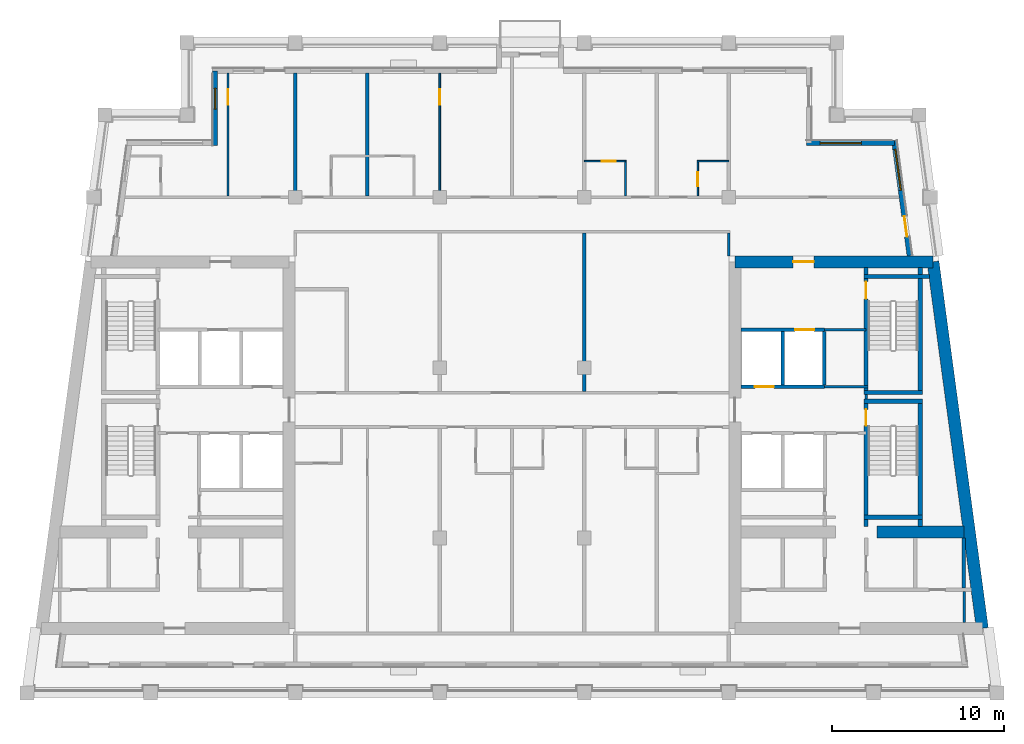
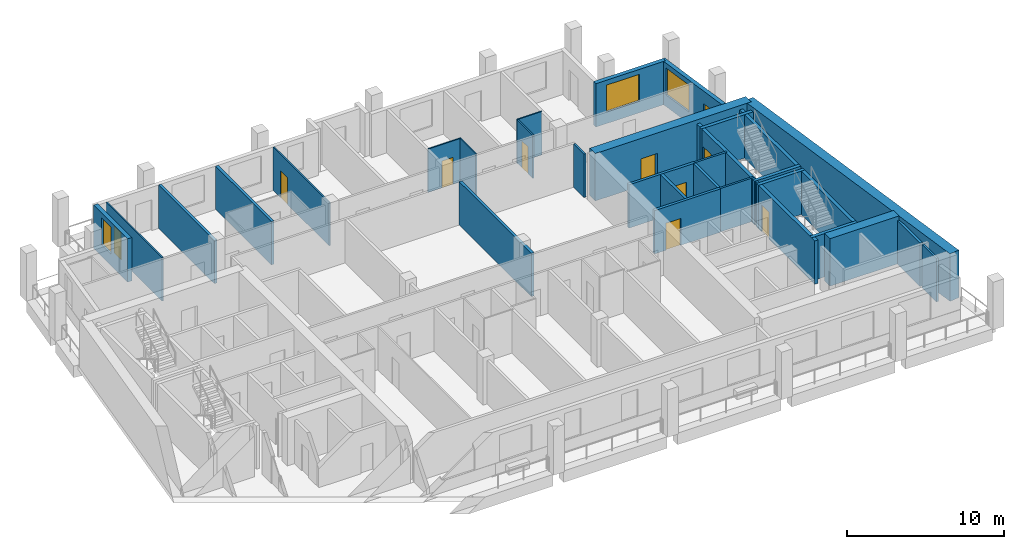
# One storey, part 6 of 13: 33 walls, 10 doors, 3 windows, 13 openings.
"""IFC4 building model written with IfcOpenShell, lengths in metres."""

from ifc_helpers import new_model, si_unit, direction, frame, frame_2d, origin, place, context, subcontext, project, spatial, rectangle, extrude, material, layer, layer_set, type_object, element, fill, save


model = new_model("IFC4")

# Units and contexts
model_context = context("Model", 3, precision=1e-05, world=origin(), true_north=direction((0.0, 1.0)))
body_context = subcontext(model_context, "Body", "Model", "MODEL_VIEW")
ifc_project = project(units=[si_unit("LENGTHUNIT", "METRE"), si_unit("AREAUNIT", "SQUARE_METRE"), si_unit("VOLUMEUNIT", "CUBIC_METRE"), si_unit("PLANEANGLEUNIT", "RADIAN"), si_unit("MASSUNIT", "GRAM", prefix="KILO")], contexts=[model_context])

# Site, building, storey
site_placement = place(None, origin())
site = spatial("IfcSite", under=ifc_project, at=site_placement, CompositionType="ELEMENT")
building_placement = place(site_placement, origin())
building = spatial("IfcBuilding", under=site, at=building_placement, Name="Candeia Pilgrim Tower and Theatre", CompositionType="ELEMENT")
storey_placement = place(building_placement, frame((0.0, 0.0, 277.5)))
storey = spatial("IfcBuildingStorey", under=building, at=storey_placement, Name="L67", CompositionType="ELEMENT", Elevation=277.5)

# Wall, opening, door
ifc_material_1 = material(Name="Concrete C40/50", Category="concrete")
ifc_layer_1 = layer(ifc_material_1, 0.699951171875)
ifc_layer_set_1 = layer_set([ifc_layer_1], Name="Core wall 700 C40/50")
wall_type_1 = type_object("IfcWallType", Name="Core wall 700 C40/50", PredefinedType="SHEAR", material=ifc_layer_set_1)
wall_1_placement = place(storey_placement, frame((126.35009765625, 132.050048828125, 0.0), z_axis=(0.0, 0.0, 1.0), x_axis=(1.0, 0.0, 0.0)))
wall_1 = element("IfcWall", 1, at=wall_1_placement, inside=storey, type_object=wall_type_1, Name="Core wall E1", PredefinedType="SHEAR", context=body_context, shape_type="SweptSolid", body=[
    extrude(rectangle(XDim=11.51318359375, YDim=0.699951171875, at=frame_2d((5.756591796875, 0.0))), origin(), (0.0, 0.0, 1.0), 3.699951171875),
])
opening_1_placement = place(wall_1_placement, frame((3.386474609375, 0.0, 0.0)))
opening_1 = element("IfcOpeningElement", 2, at=opening_1_placement, cuts=wall_1, Name="Opening L67-D050", PredefinedType="OPENING", context=body_context, shape_type="SweptSolid", body=[
    extrude(rectangle(XDim=1.199951171875, YDim=2.10009765625, at=frame_2d((0.60009765625, 1.050048828125))), frame((0.0, 0.35986328125, 0.0), z_axis=(0.0, -1.0, 0.0), x_axis=(1.0, 0.0, 0.0)), (0.0, 0.0, 1.0), 0.719970703125),
])
ifc_material_2 = material(Name="Steel fire door set", Category="steel")
door_type_1 = type_object("IfcDoorType", Name="D-1200-FD60", OperationType="NOTDEFINED", PredefinedType="DOOR", material=ifc_material_2)
door_1_placement = place(opening_1_placement, origin())
door_1 = element("IfcDoor", 3, at=door_1_placement, inside=storey, type_object=door_type_1, Name="Door L67-D050", OperationType="SINGLE_SWING_LEFT", OverallHeight=2.10009765625, OverallWidth=1.199951171875, PredefinedType="DOOR", context=body_context, shape_type="SweptSolid", body=[
    extrude(rectangle(XDim=1.199951171875, YDim=2.10009765625, at=frame_2d((0.60009765625, 1.050048828125))), frame((0.0, 0.02490234375, 0.0), z_axis=(0.0, -1.0, 0.0), x_axis=(1.0, 0.0, 0.0)), (0.0, 0.0, 1.0), 0.050048828125),
])
fill(opening_1, door_1)

# Walls
wall_2_placement = place(storey_placement, frame((137.86328125, 132.050048828125, 0.0), z_axis=(0.0, 0.0, 1.0), x_axis=(0.133406218907, -0.991061441464, 0.0)))
element("IfcWall", 4, at=wall_2_placement, inside=storey, type_object=wall_type_1, Name="Core wall E2", PredefinedType="SHEAR", context=body_context, shape_type="SweptSolid", body=[
    extrude(rectangle(XDim=21.4921875, YDim=0.699951171875, at=frame_2d((10.74609375, 0.0))), origin(), (0.0, 0.0, 1.0), 3.699951171875),
])
wall_3_placement = place(storey_placement, frame((134.60009765625, 116.35009765625, 0.0), z_axis=(0.0, 0.0, 1.0), x_axis=(1.0, 0.0, 0.0)))
element("IfcWall", 5, at=wall_3_placement, inside=storey, type_object=wall_type_1, Name="Core wall E6", PredefinedType="SHEAR", context=body_context, shape_type="SweptSolid", body=[
    extrude(rectangle(XDim=5.076904296875, YDim=0.699951171875, at=frame_2d((2.53857421875, 0.0))), origin(), (0.0, 0.0, 1.0), 3.699951171875),
])

# Wall, openings, door, window
ifc_material_3 = material(Name="Ceramic block masonry", Category="masonry")
ifc_layer_2 = layer(ifc_material_3, 0.300048828125)
ifc_layer_set_2 = layer_set([ifc_layer_2], Name="EW1 glazing-line wall 300")
wall_type_2 = type_object("IfcWallType", Name="EW1 glazing-line wall 300", PredefinedType="SOLIDWALL", material=ifc_layer_set_2)
wall_4_placement = place(storey_placement, frame((136.50439453125, 132.39990234375, 0.0), z_axis=(0.0, 0.0, 1.0), x_axis=(-0.133399697462, 0.99106231929, 0.0)))
wall_4 = element("IfcWall", 6, at=wall_4_placement, inside=storey, type_object=wall_type_2, Name="External wall L67-2.1", PredefinedType="SOLIDWALL", context=body_context, shape_type="SweptSolid", body=[
    extrude(rectangle(XDim=6.740478515625, YDim=0.300048828125, at=frame_2d((3.3701171875, 0.0))), origin(), (0.0, 0.0, 1.0), 3.3798828125),
])
opening_2_placement = place(wall_4_placement, frame((1.115234375, 0.0, 0.0)))
opening_2 = element("IfcOpeningElement", 7, at=opening_2_placement, cuts=wall_4, Name="Opening L67-ED631", PredefinedType="OPENING", context=body_context, shape_type="SweptSolid", body=[
    extrude(rectangle(XDim=1.199951171875, YDim=2.39990234375, at=frame_2d((0.60009765625, 1.199951171875))), frame((0.0, 0.16015625, 0.0), z_axis=(0.0, -1.0, 0.0), x_axis=(1.0, 0.0, 0.0)), (0.0, 0.0, 1.0), 0.320068359375),
])
opening_3_placement = place(wall_4_placement, frame((3.83544921875, 0.0, 0.89990234375)))
opening_3 = element("IfcOpeningElement", 8, at=opening_3_placement, cuts=wall_4, Name="Opening W-A", PredefinedType="OPENING", context=body_context, shape_type="SweptSolid", body=[
    extrude(rectangle(XDim=2.39990234375, YDim=2.10009765625, at=frame_2d((1.199951171875, 1.050048828125))), frame((0.0, 0.16015625, 0.0), z_axis=(0.0, -1.0, 0.0), x_axis=(1.0, 0.0, 0.0)), (0.0, 0.0, 1.0), 0.320068359375),
])
ifc_material_4 = material(Name="Aluminium framed glazed door", Category="aluminium")
door_type_2 = type_object("IfcDoorType", Name="Loggia door 1200x2400", OperationType="DOUBLE_DOOR_SINGLE_SWING", PredefinedType="DOOR", material=ifc_material_4)
door_2_placement = place(opening_2_placement, origin())
door_2 = element("IfcDoor", 9, at=door_2_placement, inside=storey, type_object=door_type_2, Name="Loggia door L67-ED631", OperationType="DOUBLE_DOOR_SINGLE_SWING", OverallHeight=2.39990234375, OverallWidth=1.199951171875, PredefinedType="DOOR", context=body_context, shape_type="SweptSolid", body=[
    extrude(rectangle(XDim=1.199951171875, YDim=2.39990234375, at=frame_2d((0.60009765625, 1.199951171875))), frame((0.0, 0.02490234375, 0.0), z_axis=(0.0, -1.0, 0.0), x_axis=(1.0, 0.0, 0.0)), (0.0, 0.0, 1.0), 0.050048828125),
])
fill(opening_2, door_2)
ifc_material_5 = material(Name="Aluminium framed double glazing", Category="aluminium")
window_type_1 = type_object("IfcWindowType", Name="W-A window 2400x2100", PartitioningType="DOUBLE_PANEL_VERTICAL", PredefinedType="WINDOW", material=ifc_material_5)
window_1_placement = place(opening_3_placement, origin())
window_1 = element("IfcWindow", 10, at=window_1_placement, inside=storey, type_object=window_type_1, Name="Window W-A L67", OverallHeight=2.10009765625, OverallWidth=2.39990234375, PartitioningType="SINGLE_PANEL", PredefinedType="WINDOW", context=body_context, shape_type="SweptSolid", body=[
    extrude(rectangle(XDim=2.39990234375, YDim=2.10009765625, at=frame_2d((1.199951171875, 1.050048828125))), frame((0.0, 0.030029296875, 0.0), z_axis=(0.0, -1.0, 0.0), x_axis=(1.0, 0.0, 0.0)), (0.0, 0.0, 1.0), 0.06005859375),
])
fill(opening_3, window_1)

# Wall, opening, window
wall_5_placement = place(storey_placement, frame((135.62255859375, 138.949951171875, 0.0), z_axis=(0.0, 0.0, 1.0), x_axis=(-1.0, 0.0, 0.0)))
wall_5 = element("IfcWall", 11, at=wall_5_placement, inside=storey, type_object=wall_type_2, Name="External wall L67-3.0", PredefinedType="SOLIDWALL", context=body_context, shape_type="SweptSolid", body=[
    extrude(rectangle(XDim=5.12255859375, YDim=0.300048828125, at=frame_2d((2.561279296875, 0.0))), origin(), (0.0, 0.0, 1.0), 3.3798828125),
])
opening_4_placement = place(wall_5_placement, frame((1.922607421875, 0.0, 0.89990234375)))
opening_4 = element("IfcOpeningElement", 12, at=opening_4_placement, cuts=wall_5, Name="Opening W-A", PredefinedType="OPENING", context=body_context, shape_type="SweptSolid", body=[
    extrude(rectangle(XDim=2.39990234375, YDim=2.10009765625, at=frame_2d((1.199951171875, 1.050048828125))), frame((0.0, 0.16015625, 0.0), z_axis=(0.0, -1.0, 0.0), x_axis=(1.0, 0.0, 0.0)), (0.0, 0.0, 1.0), 0.320068359375),
])
window_2_placement = place(opening_4_placement, origin())
window_2 = element("IfcWindow", 13, at=window_2_placement, inside=storey, type_object=window_type_1, Name="Window W-A L67", OverallHeight=2.10009765625, OverallWidth=2.39990234375, PartitioningType="SINGLE_PANEL", PredefinedType="WINDOW", context=body_context, shape_type="SweptSolid", body=[
    extrude(rectangle(XDim=2.39990234375, YDim=2.10009765625, at=frame_2d((1.199951171875, 1.050048828125))), frame((0.0, 0.030029296875, 0.0), z_axis=(0.0, -1.0, 0.0), x_axis=(1.0, 0.0, 0.0)), (0.0, 0.0, 1.0), 0.06005859375),
])
fill(opening_4, window_2)

wall_6_placement = place(storey_placement, frame((96.14990234375, 143.14990234375, 0.0), z_axis=(0.0, 0.0, 1.0), x_axis=(0.0, -1.0, 0.0)))
wall_6 = element("IfcWall", 14, at=wall_6_placement, inside=storey, type_object=wall_type_2, Name="External wall L67-6.0", PredefinedType="SOLIDWALL", context=body_context, shape_type="SweptSolid", body=[
    extrude(rectangle(XDim=4.349853515625, YDim=0.300048828125, at=frame_2d((2.1748046875, 0.0))), origin(), (0.0, 0.0, 1.0), 3.3798828125),
])
opening_5_placement = place(wall_6_placement, frame((1.02490234375, 0.0, 0.89990234375)))
opening_5 = element("IfcOpeningElement", 15, at=opening_5_placement, cuts=wall_6, Name="Opening W-B", PredefinedType="OPENING", context=body_context, shape_type="SweptSolid", body=[
    extrude(rectangle(XDim=1.199951171875, YDim=2.10009765625, at=frame_2d((0.60009765625, 1.050048828125))), frame((0.0, 0.16015625, 0.0), z_axis=(0.0, -1.0, 0.0), x_axis=(1.0, 0.0, 0.0)), (0.0, 0.0, 1.0), 0.320068359375),
])
window_type_2 = type_object("IfcWindowType", Name="W-B window 1200x2100", PartitioningType="SINGLE_PANEL", PredefinedType="WINDOW", material=ifc_material_5)
window_3_placement = place(opening_5_placement, origin())
window_3 = element("IfcWindow", 16, at=window_3_placement, inside=storey, type_object=window_type_2, Name="Window W-B L67", OverallHeight=2.10009765625, OverallWidth=1.199951171875, PartitioningType="SINGLE_PANEL", PredefinedType="WINDOW", context=body_context, shape_type="SweptSolid", body=[
    extrude(rectangle(XDim=1.199951171875, YDim=2.10009765625, at=frame_2d((0.60009765625, 1.050048828125))), frame((0.0, 0.030029296875, 0.0), z_axis=(0.0, -1.0, 0.0), x_axis=(1.0, 0.0, 0.0)), (0.0, 0.0, 1.0), 0.06005859375),
])
fill(opening_5, window_3)

# Wall, opening, door
ifc_material_6 = material(Name="Gypsum board partition on steel studs", Category="steel")
ifc_layer_3 = layer(ifc_material_6, 0.10009765625)
ifc_layer_set_3 = layer_set([ifc_layer_3], Name="PW-100 room partition")
wall_type_3 = type_object("IfcWallType", Name="PW-100 room partition", PredefinedType="PARTITIONING", material=ifc_layer_set_3)
wall_7_placement = place(storey_placement, frame((117.60009765625, 137.89990234375, 0.0), z_axis=(0.0, 0.0, 1.0), x_axis=(1.0, 0.0, 0.0)))
wall_7 = element("IfcWall", 17, at=wall_7_placement, inside=storey, type_object=wall_type_3, Name="Room partition L67-040", PredefinedType="PARTITIONING", context=body_context, shape_type="SweptSolid", body=[
    extrude(rectangle(XDim=2.449951171875, YDim=0.10009765625, at=frame_2d((1.22509765625, 0.0))), origin(), (0.0, 0.0, 1.0), 3.3798828125),
])
opening_6_placement = place(wall_7_placement, frame((1.02490234375, 0.0, 0.0)))
opening_6 = element("IfcOpeningElement", 18, at=opening_6_placement, cuts=wall_7, Name="Opening L67-D038", PredefinedType="OPENING", context=body_context, shape_type="SweptSolid", body=[
    extrude(rectangle(XDim=0.800048828125, YDim=2.10009765625, at=frame_2d((0.39990234375, 1.050048828125))), frame((0.0, 0.06005859375, 0.0), z_axis=(0.0, -1.0, 0.0), x_axis=(1.0, 0.0, 0.0)), (0.0, 0.0, 1.0), 0.1201171875),
])
ifc_material_7 = material(Name="Timber door leaf", Category="wood")
door_type_3 = type_object("IfcDoorType", Name="D-800", OperationType="NOTDEFINED", PredefinedType="DOOR", material=ifc_material_7)
door_3_placement = place(opening_6_placement, origin())
door_3 = element("IfcDoor", 19, at=door_3_placement, inside=storey, type_object=door_type_3, Name="Door L67-D038", OperationType="SINGLE_SWING_LEFT", OverallHeight=2.10009765625, OverallWidth=0.800048828125, PredefinedType="DOOR", context=body_context, shape_type="SweptSolid", body=[
    extrude(rectangle(XDim=0.800048828125, YDim=2.10009765625, at=frame_2d((0.39990234375, 1.050048828125))), frame((0.0, 0.02490234375, 0.0), z_axis=(0.0, -1.0, 0.0), x_axis=(1.0, 0.0, 0.0)), (0.0, 0.0, 1.0), 0.050048828125),
])
fill(opening_6, door_3)

# Wall
wall_8_placement = place(storey_placement, frame((124.14990234375, 137.89990234375, 0.0), z_axis=(0.0, 0.0, 1.0), x_axis=(1.0, 0.0, 0.0)))
element("IfcWall", 20, at=wall_8_placement, inside=storey, type_object=wall_type_3, Name="Room partition L67-041", PredefinedType="PARTITIONING", context=body_context, shape_type="SweptSolid", body=[
    extrude(rectangle(XDim=1.85009765625, YDim=0.10009765625, at=frame_2d((0.925048828125, 0.0))), origin(), (0.0, 0.0, 1.0), 3.3798828125),
])

# Wall, opening, door
wall_9_placement = place(storey_placement, frame((96.89990234375, 135.875, 0.0), z_axis=(0.0, 0.0, 1.0), x_axis=(0.0, 1.0, 0.0)))
wall_9 = element("IfcWall", 21, at=wall_9_placement, inside=storey, type_object=wall_type_3, Name="Room partition L67-057", PredefinedType="PARTITIONING", context=body_context, shape_type="SweptSolid", body=[
    extrude(rectangle(XDim=7.135009765625, YDim=0.10009765625, at=frame_2d((3.5673828125, 0.0))), origin(), (0.0, 0.0, 1.0), 3.3798828125),
])
opening_7_placement = place(wall_9_placement, frame((5.2900390625, 0.0, 0.0)))
opening_7 = element("IfcOpeningElement", 22, at=opening_7_placement, cuts=wall_9, Name="Opening L67-D029", PredefinedType="OPENING", context=body_context, shape_type="SweptSolid", body=[
    extrude(rectangle(XDim=0.89990234375, YDim=2.10009765625, at=frame_2d((0.449951171875, 1.050048828125))), frame((0.0, 0.06005859375, 0.0), z_axis=(0.0, -1.0, 0.0), x_axis=(1.0, 0.0, 0.0)), (0.0, 0.0, 1.0), 0.1201171875),
])
door_type_4 = type_object("IfcDoorType", Name="D-900", OperationType="NOTDEFINED", PredefinedType="DOOR", material=ifc_material_7)
door_4_placement = place(opening_7_placement, origin())
door_4 = element("IfcDoor", 23, at=door_4_placement, inside=storey, type_object=door_type_4, Name="Door L67-D029", OperationType="SINGLE_SWING_RIGHT", OverallHeight=2.10009765625, OverallWidth=0.89990234375, PredefinedType="DOOR", context=body_context, shape_type="SweptSolid", body=[
    extrude(rectangle(XDim=0.89990234375, YDim=2.10009765625, at=frame_2d((0.449951171875, 1.050048828125))), frame((0.0, 0.02490234375, 0.0), z_axis=(0.0, -1.0, 0.0), x_axis=(1.0, 0.0, 0.0)), (0.0, 0.0, 1.0), 0.050048828125),
])
fill(opening_7, door_4)

wall_10_placement = place(storey_placement, frame((109.199951171875, 135.875, 0.0), z_axis=(0.0, 0.0, 1.0), x_axis=(0.0, 1.0, 0.0)))
wall_10 = element("IfcWall", 24, at=wall_10_placement, inside=storey, type_object=wall_type_3, Name="Room partition L67-070", PredefinedType="PARTITIONING", context=body_context, shape_type="SweptSolid", body=[
    extrude(rectangle(XDim=7.135009765625, YDim=0.10009765625, at=frame_2d((3.5673828125, 0.0))), origin(), (0.0, 0.0, 1.0), 3.3798828125),
])
opening_8_placement = place(wall_10_placement, frame((5.2900390625, 0.0, 0.0)))
opening_8 = element("IfcOpeningElement", 25, at=opening_8_placement, cuts=wall_10, Name="Opening L67-D034", PredefinedType="OPENING", context=body_context, shape_type="SweptSolid", body=[
    extrude(rectangle(XDim=0.89990234375, YDim=2.10009765625, at=frame_2d((0.449951171875, 1.050048828125))), frame((0.0, 0.06005859375, 0.0), z_axis=(0.0, -1.0, 0.0), x_axis=(1.0, 0.0, 0.0)), (0.0, 0.0, 1.0), 0.1201171875),
])
door_5_placement = place(opening_8_placement, origin())
door_5 = element("IfcDoor", 26, at=door_5_placement, inside=storey, type_object=door_type_4, Name="Door L67-D034", OperationType="SINGLE_SWING_LEFT", OverallHeight=2.10009765625, OverallWidth=0.89990234375, PredefinedType="DOOR", context=body_context, shape_type="SweptSolid", body=[
    extrude(rectangle(XDim=0.89990234375, YDim=2.10009765625, at=frame_2d((0.449951171875, 1.050048828125))), frame((0.0, 0.02490234375, 0.0), z_axis=(0.0, -1.0, 0.0), x_axis=(1.0, 0.0, 0.0)), (0.0, 0.0, 1.0), 0.050048828125),
])
fill(opening_8, door_5)

# Wall
wall_11_placement = place(storey_placement, frame((120.0, 135.875, 0.0), z_axis=(0.0, 0.0, 1.0), x_axis=(0.0, 1.0, 0.0)))
element("IfcWall", 27, at=wall_11_placement, inside=storey, type_object=wall_type_3, Name="Room partition L67-081", PredefinedType="PARTITIONING", context=body_context, shape_type="SweptSolid", body=[
    extrude(rectangle(XDim=1.97509765625, YDim=0.10009765625, at=frame_2d((0.987548828125, 0.0))), origin(), (0.0, 0.0, 1.0), 3.3798828125),
])

# Wall, opening, door
wall_12_placement = place(storey_placement, frame((124.199951171875, 135.875, 0.0), z_axis=(0.0, 0.0, 1.0), x_axis=(0.0, 1.0, 0.0)))
wall_12 = element("IfcWall", 28, at=wall_12_placement, inside=storey, type_object=wall_type_3, Name="Room partition L67-085", PredefinedType="PARTITIONING", context=body_context, shape_type="SweptSolid", body=[
    extrude(rectangle(XDim=1.97509765625, YDim=0.10009765625, at=frame_2d((0.987548828125, 0.0))), origin(), (0.0, 0.0, 1.0), 3.3798828125),
])
opening_9_placement = place(wall_12_placement, frame((0.574951171875, 0.0, 0.0)))
opening_9 = element("IfcOpeningElement", 29, at=opening_9_placement, cuts=wall_12, Name="Opening L67-D040", PredefinedType="OPENING", context=body_context, shape_type="SweptSolid", body=[
    extrude(rectangle(XDim=0.800048828125, YDim=2.10009765625, at=frame_2d((0.39990234375, 1.050048828125))), frame((0.0, 0.06005859375, 0.0), z_axis=(0.0, -1.0, 0.0), x_axis=(1.0, 0.0, 0.0)), (0.0, 0.0, 1.0), 0.1201171875),
])
door_6_placement = place(opening_9_placement, origin())
door_6 = element("IfcDoor", 30, at=door_6_placement, inside=storey, type_object=door_type_3, Name="Door L67-D040", OperationType="SINGLE_SWING_LEFT", OverallHeight=2.10009765625, OverallWidth=0.800048828125, PredefinedType="DOOR", context=body_context, shape_type="SweptSolid", body=[
    extrude(rectangle(XDim=0.800048828125, YDim=2.10009765625, at=frame_2d((0.39990234375, 1.050048828125))), frame((0.0, 0.02490234375, 0.0), z_axis=(0.0, -1.0, 0.0), x_axis=(1.0, 0.0, 0.0)), (0.0, 0.0, 1.0), 0.050048828125),
])
fill(opening_9, door_6)

# Walls
ifc_layer_4 = layer(ifc_material_6, 0.14990234375)
ifc_layer_set_4 = layer_set([ifc_layer_4], Name="PW-150 lobby wall")
wall_type_4 = type_object("IfcWallType", Name="PW-150 lobby wall", PredefinedType="PARTITIONING", material=ifc_layer_set_4)
wall_13_placement = place(storey_placement, frame((131.548583984375, 124.800048828125, 0.0), z_axis=(0.0, 0.0, 1.0), x_axis=(1.0, 0.0, 0.0)))
element("IfcWall", 31, at=wall_13_placement, inside=storey, type_object=wall_type_4, Name="Lobby wall L67-031", PredefinedType="PARTITIONING", context=body_context, shape_type="SweptSolid", body=[
    extrude(rectangle(XDim=2.54931640625, YDim=0.14990234375, at=frame_2d((1.274658203125, 0.0))), origin(), (0.0, 0.0, 1.0), 3.3798828125),
])
wall_14_placement = place(storey_placement, frame((131.548583984375, 128.10009765625, 0.0), z_axis=(0.0, 0.0, 1.0), x_axis=(1.0, 0.0, 0.0)))
element("IfcWall", 32, at=wall_14_placement, inside=storey, type_object=wall_type_4, Name="Lobby wall L67-034", PredefinedType="PARTITIONING", context=body_context, shape_type="SweptSolid", body=[
    extrude(rectangle(XDim=2.42431640625, YDim=0.14990234375, at=frame_2d((1.212158203125, 0.0))), origin(), (0.0, 0.0, 1.0), 3.3798828125),
])
wall_15_placement = place(storey_placement, frame((133.972900390625, 124.074951171875, 0.0), z_axis=(0.0, 0.0, 1.0), x_axis=(0.0, 1.0, 0.0)))
element("IfcWall", 33, at=wall_15_placement, inside=storey, type_object=wall_type_4, Name="Lobby wall L67-096", PredefinedType="PARTITIONING", context=body_context, shape_type="SweptSolid", body=[
    extrude(rectangle(XDim=0.25, YDim=0.14990234375, at=frame_2d((0.125, 0.0))), origin(), (0.0, 0.0, 1.0), 3.3798828125),
])
wall_16_placement = place(storey_placement, frame((139.673095703125, 111.10009765625, 0.0), z_axis=(0.0, 0.0, 1.0), x_axis=(0.0, 1.0, 0.0)))
element("IfcWall", 34, at=wall_16_placement, inside=storey, type_object=wall_type_4, Name="Lobby wall L67-103", PredefinedType="PARTITIONING", context=body_context, shape_type="SweptSolid", body=[
    extrude(rectangle(XDim=1.7998046875, YDim=0.14990234375, at=frame_2d((0.89990234375, 0.0))), origin(), (0.0, 0.0, 1.0), 3.3798828125),
])
ifc_layer_5 = layer(ifc_material_6, 0.14990234375)
ifc_layer_set_5 = layer_set([ifc_layer_5], Name="PW-150 unit wall")
wall_type_5 = type_object("IfcWallType", Name="PW-150 unit wall", PredefinedType="PARTITIONING", material=ifc_layer_set_5)
wall_17_placement = place(storey_placement, frame((126.0, 132.39990234375, 0.0), z_axis=(0.0, 0.0, 1.0), x_axis=(0.0, 1.0, 0.0)))
element("IfcWall", 35, at=wall_17_placement, inside=storey, type_object=wall_type_5, Name="Unit wall L67-088", PredefinedType="PARTITIONING", context=body_context, shape_type="SweptSolid", body=[
    extrude(rectangle(XDim=1.3251953125, YDim=0.14990234375, at=frame_2d((0.66259765625, 0.0))), origin(), (0.0, 0.0, 1.0), 3.3798828125),
])
ifc_layer_6 = layer(ifc_material_6, 0.199951171875)
ifc_layer_set_6 = layer_set([ifc_layer_6], Name="PW-200 party wall")
wall_type_6 = type_object("IfcWallType", Name="PW-200 party wall", PredefinedType="PARTITIONING", material=ifc_layer_set_6)
for number, where, z_axis, x_axis, name in (
    (36, (100.800048828125, 135.875, 0.0), (0.0, 0.0, 1.0), (0.0, 1.0, 0.0), "Party wall L67-062"),
    (37, (105.0, 135.875, 0.0), (0.0, 0.0, 1.0), (0.0, 1.0, 0.0), "Party wall L67-068"),
):
    element("IfcWall", number, at=place(storey_placement, frame(where, z_axis=z_axis, x_axis=x_axis)), inside=storey, type_object=wall_type_6, Name=name, PredefinedType="PARTITIONING", context=body_context, shape_type="SweptSolid", body=[
        extrude(rectangle(XDim=7.135009765625, YDim=0.199951171875, at=frame_2d((3.5673828125, 0.0))), origin(), (0.0, 0.0, 1.0), 3.3798828125),
    ])
wall_18_placement = place(storey_placement, frame((117.60009765625, 124.52490234375, 0.0), z_axis=(0.0, 0.0, 1.0), x_axis=(0.0, 1.0, 0.0)))
element("IfcWall", 38, at=wall_18_placement, inside=storey, type_object=wall_type_6, Name="Party wall L67-078", PredefinedType="PARTITIONING", context=body_context, shape_type="SweptSolid", body=[
    extrude(rectangle(XDim=9.2001953125, YDim=0.199951171875, at=frame_2d((4.60009765625, 0.0))), origin(), (0.0, 0.0, 1.0), 3.3798828125),
])

# Wall, opening, door
ifc_layer_7 = layer(ifc_material_1, 0.199951171875)
ifc_layer_set_7 = layer_set([ifc_layer_7], Name="SW-200 shaft wall")
wall_type_7 = type_object("IfcWallType", Name="SW-200 shaft wall", PredefinedType="PARTITIONING", material=ifc_layer_set_7)
wall_19_placement = place(storey_placement, frame((126.699951171875, 124.800048828125, 0.0), z_axis=(0.0, 0.0, 1.0), x_axis=(1.0, 0.0, 0.0)))
wall_19 = element("IfcWall", 39, at=wall_19_placement, inside=storey, type_object=wall_type_7, Name="Shaft wall L67-030", PredefinedType="PARTITIONING", context=body_context, shape_type="SweptSolid", body=[
    extrude(rectangle(XDim=4.8486328125, YDim=0.199951171875, at=frame_2d((2.42431640625, 0.0))), origin(), (0.0, 0.0, 1.0), 3.3798828125),
])
opening_10_placement = place(wall_19_placement, frame((0.818115234375, 0.0, 0.0)))
opening_10 = element("IfcOpeningElement", 40, at=opening_10_placement, cuts=wall_19, Name="Opening L67-LD08", PredefinedType="OPENING", context=body_context, shape_type="SweptSolid", body=[
    extrude(rectangle(XDim=1.10009765625, YDim=2.10009765625, at=frame_2d((0.550048828125, 1.050048828125))), frame((0.0, 0.10986328125, 0.0), z_axis=(0.0, -1.0, 0.0), x_axis=(1.0, 0.0, 0.0)), (0.0, 0.0, 1.0), 0.219970703125),
])
ifc_material_8 = material(Name="Glazed aluminium landing door", Category="aluminium")
door_type_5 = type_object("IfcDoorType", Name="LD-1100-EI120", OperationType="SLIDING_TO_LEFT", PredefinedType="DOOR", material=ifc_material_8)
door_7_placement = place(opening_10_placement, origin())
door_7 = element("IfcDoor", 41, at=door_7_placement, inside=storey, type_object=door_type_5, Name="Landing door 08 L67", OperationType="SLIDING_TO_LEFT", OverallHeight=2.10009765625, OverallWidth=1.10009765625, PredefinedType="DOOR", context=body_context, shape_type="SweptSolid", body=[
    extrude(rectangle(XDim=1.10009765625, YDim=2.10009765625, at=frame_2d((0.550048828125, 1.050048828125))), frame((0.0, 0.02490234375, 0.0), z_axis=(0.0, -1.0, 0.0), x_axis=(1.0, 0.0, 0.0)), (0.0, 0.0, 1.0), 0.050048828125),
])
fill(opening_10, door_7)

wall_20_placement = place(storey_placement, frame((126.699951171875, 128.10009765625, 0.0), z_axis=(0.0, 0.0, 1.0), x_axis=(1.0, 0.0, 0.0)))
wall_20 = element("IfcWall", 42, at=wall_20_placement, inside=storey, type_object=wall_type_7, Name="Shaft wall L67-033", PredefinedType="PARTITIONING", context=body_context, shape_type="SweptSolid", body=[
    extrude(rectangle(XDim=4.8486328125, YDim=0.199951171875, at=frame_2d((2.42431640625, 0.0))), origin(), (0.0, 0.0, 1.0), 3.3798828125),
])
opening_11_placement = place(wall_20_placement, frame((3.14892578125, 0.0, 0.0)))
opening_11 = element("IfcOpeningElement", 43, at=opening_11_placement, cuts=wall_20, Name="Opening L67-LD07", PredefinedType="OPENING", context=body_context, shape_type="SweptSolid", body=[
    extrude(rectangle(XDim=1.10009765625, YDim=2.10009765625, at=frame_2d((0.550048828125, 1.050048828125))), frame((0.0, 0.10986328125, 0.0), z_axis=(0.0, -1.0, 0.0), x_axis=(1.0, 0.0, 0.0)), (0.0, 0.0, 1.0), 0.219970703125),
])
door_8_placement = place(opening_11_placement, origin())
door_8 = element("IfcDoor", 44, at=door_8_placement, inside=storey, type_object=door_type_5, Name="Landing door 07 L67", OperationType="SLIDING_TO_LEFT", OverallHeight=2.10009765625, OverallWidth=1.10009765625, PredefinedType="DOOR", context=body_context, shape_type="SweptSolid", body=[
    extrude(rectangle(XDim=1.10009765625, YDim=2.10009765625, at=frame_2d((0.550048828125, 1.050048828125))), frame((0.0, 0.02490234375, 0.0), z_axis=(0.0, -1.0, 0.0), x_axis=(1.0, 0.0, 0.0)), (0.0, 0.0, 1.0), 0.050048828125),
])
fill(opening_11, door_8)

# Walls
for number, where, z_axis, x_axis, name in (
    (45, (129.124267578125, 124.89990234375, 0.0), (0.0, 0.0, 1.0), (0.0, 1.0, 0.0), "Shaft wall L67-089"),
    (46, (131.548583984375, 124.89990234375, 0.0), (0.0, 0.0, 1.0), (0.0, 1.0, 0.0), "Shaft wall L67-092"),
):
    element("IfcWall", number, at=place(storey_placement, frame(where, z_axis=z_axis, x_axis=x_axis)), inside=storey, type_object=wall_type_7, Name=name, PredefinedType="PARTITIONING", context=body_context, shape_type="SweptSolid", body=[
        extrude(rectangle(XDim=3.10009765625, YDim=0.199951171875, at=frame_2d((1.550048828125, 0.0))), origin(), (0.0, 0.0, 1.0), 3.3798828125),
    ])
wall_21_placement = place(storey_placement, frame((139.651611328125, 113.10009765625, 0.0), z_axis=(0.0, 0.0, 1.0), x_axis=(0.0, 1.0, 0.0)))
element("IfcWall", 47, at=wall_21_placement, inside=storey, type_object=wall_type_7, Name="Shaft wall L67-102", PredefinedType="PARTITIONING", context=body_context, shape_type="SweptSolid", body=[
    extrude(rectangle(XDim=2.89990234375, YDim=0.199951171875, at=frame_2d((1.449951171875, 0.0))), origin(), (0.0, 0.0, 1.0), 3.3798828125),
])
ifc_layer_8 = layer(ifc_material_1, 0.25)
ifc_layer_set_8 = layer_set([ifc_layer_8], Name="SW-250 stair wall")
wall_type_8 = type_object("IfcWallType", Name="SW-250 stair wall", PredefinedType="PARTITIONING", material=ifc_layer_set_8)
for number, where, z_axis, x_axis, name in (
    (48, (133.847900390625, 117.199951171875, 0.0), (0.0, 0.0, 1.0), (1.0, 0.0, 0.0), "Stair wall L67-011"),
    (49, (133.847900390625, 123.949951171875, 0.0), (0.0, 0.0, 1.0), (1.0, 0.0, 0.0), "Stair wall L67-025"),
    (50, (133.847900390625, 124.449951171875, 0.0), (0.0, 0.0, 1.0), (1.0, 0.0, 0.0), "Stair wall L67-027"),
):
    element("IfcWall", number, at=place(storey_placement, frame(where, z_axis=z_axis, x_axis=x_axis)), inside=storey, type_object=wall_type_8, Name=name, PredefinedType="PARTITIONING", context=body_context, shape_type="SweptSolid", body=[
        extrude(rectangle(XDim=3.400146484375, YDim=0.25, at=frame_2d((1.7001953125, 0.0))), origin(), (0.0, 0.0, 1.0), 3.3798828125),
    ])
wall_22_placement = place(storey_placement, frame((133.847900390625, 131.199951171875, 0.0), z_axis=(0.0, 0.0, 1.0), x_axis=(1.0, 0.0, 0.0)))
element("IfcWall", 51, at=wall_22_placement, inside=storey, type_object=wall_type_8, Name="Stair wall L67-037", PredefinedType="PARTITIONING", context=body_context, shape_type="SweptSolid", body=[
    extrude(rectangle(XDim=3.806640625, YDim=0.25, at=frame_2d((1.9033203125, 0.0))), origin(), (0.0, 0.0, 1.0), 3.3798828125),
])

# Wall, opening, door
wall_23_placement = place(storey_placement, frame((133.972900390625, 116.669921875, 0.0), z_axis=(0.0, 0.0, 1.0), x_axis=(0.0, 1.0, 0.0)))
wall_23 = element("IfcWall", 52, at=wall_23_placement, inside=storey, type_object=wall_type_8, Name="Stair wall L67-097", PredefinedType="PARTITIONING", context=body_context, shape_type="SweptSolid", body=[
    extrude(rectangle(XDim=7.155029296875, YDim=0.25, at=frame_2d((3.57763671875, 0.0))), origin(), (0.0, 0.0, 1.0), 3.3798828125),
])
opening_12_placement = place(wall_23_placement, frame((5.85498046875, 0.0, 0.0)))
opening_12 = element("IfcOpeningElement", 53, at=opening_12_placement, cuts=wall_23, Name="Opening L67-D010", PredefinedType="OPENING", context=body_context, shape_type="SweptSolid", body=[
    extrude(rectangle(XDim=0.949951171875, YDim=2.10009765625, at=frame_2d((0.47509765625, 1.050048828125))), frame((0.0, 0.135009765625, 0.0), z_axis=(0.0, -1.0, 0.0), x_axis=(1.0, 0.0, 0.0)), (0.0, 0.0, 1.0), 0.27001953125),
])
door_type_6 = type_object("IfcDoorType", Name="D-950-FD60", OperationType="NOTDEFINED", PredefinedType="DOOR", material=ifc_material_2)
door_9_placement = place(opening_12_placement, origin())
door_9 = element("IfcDoor", 54, at=door_9_placement, inside=storey, type_object=door_type_6, Name="Door L67-D010", OperationType="SINGLE_SWING_LEFT", OverallHeight=2.10009765625, OverallWidth=0.949951171875, PredefinedType="DOOR", context=body_context, shape_type="SweptSolid", body=[
    extrude(rectangle(XDim=0.949951171875, YDim=2.10009765625, at=frame_2d((0.47509765625, 1.050048828125))), frame((0.0, 0.02490234375, 0.0), z_axis=(0.0, -1.0, 0.0), x_axis=(1.0, 0.0, 0.0)), (0.0, 0.0, 1.0), 0.050048828125),
])
fill(opening_12, door_9)

wall_24_placement = place(storey_placement, frame((133.972900390625, 124.574951171875, 0.0), z_axis=(0.0, 0.0, 1.0), x_axis=(0.0, 1.0, 0.0)))
wall_24 = element("IfcWall", 55, at=wall_24_placement, inside=storey, type_object=wall_type_8, Name="Stair wall L67-098", PredefinedType="PARTITIONING", context=body_context, shape_type="SweptSolid", body=[
    extrude(rectangle(XDim=7.155029296875, YDim=0.25, at=frame_2d((3.57763671875, 0.0))), origin(), (0.0, 0.0, 1.0), 3.3798828125),
])
opening_13_placement = place(wall_24_placement, frame((5.324951171875, 0.0, 0.0)))
opening_13 = element("IfcOpeningElement", 56, at=opening_13_placement, cuts=wall_24, Name="Opening L67-D011", PredefinedType="OPENING", context=body_context, shape_type="SweptSolid", body=[
    extrude(rectangle(XDim=1.0, YDim=2.10009765625, at=frame_2d((0.5, 1.050048828125))), frame((0.0, 0.135009765625, 0.0), z_axis=(0.0, -1.0, 0.0), x_axis=(1.0, 0.0, 0.0)), (0.0, 0.0, 1.0), 0.27001953125),
])
door_type_7 = type_object("IfcDoorType", Name="D-1000-FD60", OperationType="NOTDEFINED", PredefinedType="DOOR", material=ifc_material_2)
door_10_placement = place(opening_13_placement, origin())
door_10 = element("IfcDoor", 57, at=door_10_placement, inside=storey, type_object=door_type_7, Name="Door L67-D011", OperationType="SINGLE_SWING_RIGHT", OverallHeight=2.10009765625, OverallWidth=1.0, PredefinedType="DOOR", context=body_context, shape_type="SweptSolid", body=[
    extrude(rectangle(XDim=1.0, YDim=2.10009765625, at=frame_2d((0.5, 1.050048828125))), frame((0.0, 0.02490234375, 0.0), z_axis=(0.0, -1.0, 0.0), x_axis=(1.0, 0.0, 0.0)), (0.0, 0.0, 1.0), 0.050048828125),
])
fill(opening_13, door_10)

# Walls
for number, where, z_axis, x_axis, name in (
    (58, (137.123046875, 116.669921875, 0.0), (0.0, 0.0, 1.0), (0.0, 1.0, 0.0), "Stair wall L67-100"),
    (59, (137.123046875, 124.574951171875, 0.0), (0.0, 0.0, 1.0), (0.0, 1.0, 0.0), "Stair wall L67-101"),
):
    element("IfcWall", number, at=place(storey_placement, frame(where, z_axis=z_axis, x_axis=x_axis)), inside=storey, type_object=wall_type_8, Name=name, PredefinedType="PARTITIONING", context=body_context, shape_type="SweptSolid", body=[
        extrude(rectangle(XDim=7.155029296875, YDim=0.25, at=frame_2d((3.57763671875, 0.0))), origin(), (0.0, 0.0, 1.0), 3.3798828125),
    ])

save(model, "model.ifc")
